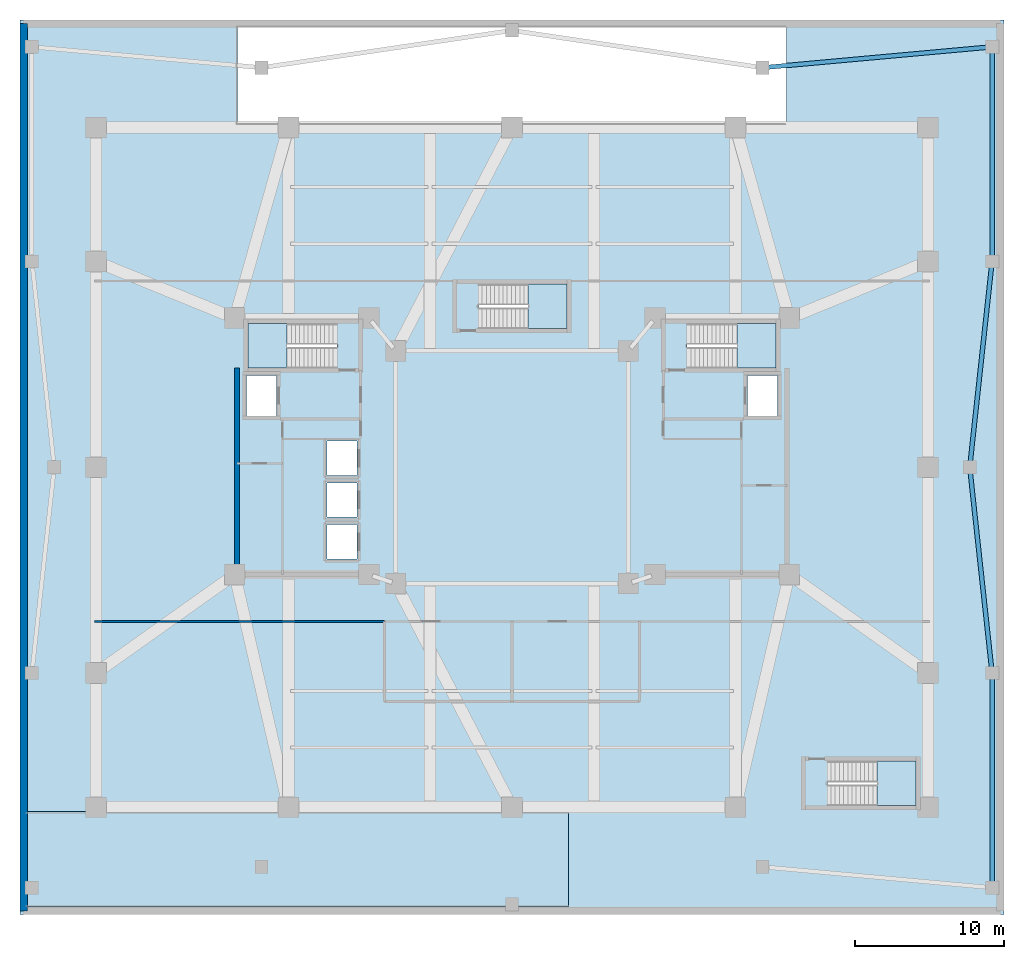
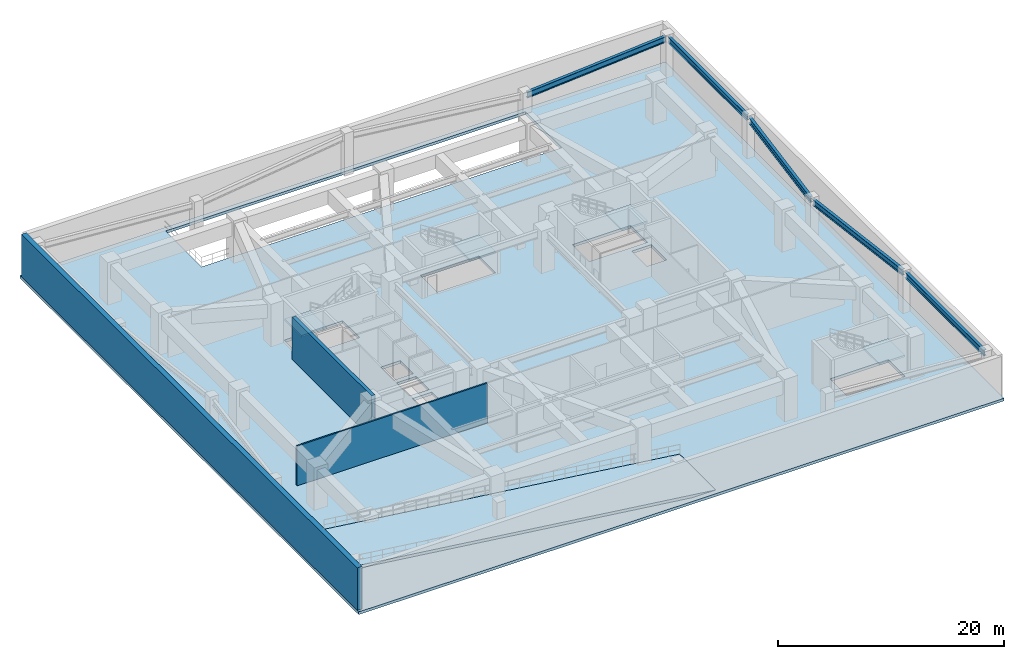
# One storey, part 2 of 8: 6 slabs, 5 beams, 3 walls, 4 elements without a shape of their own.
"""IFC4 building model written with IfcOpenShell, lengths in metres."""

from ifc_helpers import new_model, si_unit, direction, frame, frame_2d, origin, origin_2d, place, context, subcontext, project, spatial, polyline, rectangle, i_section, outline, extrude, material, layer, layer_set, material_profile, profile_set, type_object, element, aggregate, save


model = new_model("IFC4")

# Units and contexts
model_context = context("Model", 3, precision=1e-05, world=origin(), true_north=direction((0.0, 1.0)))
body_context = subcontext(model_context, "Body", "Model", "MODEL_VIEW")
ifc_project = project(units=[si_unit("LENGTHUNIT", "METRE"), si_unit("AREAUNIT", "SQUARE_METRE"), si_unit("VOLUMEUNIT", "CUBIC_METRE"), si_unit("PLANEANGLEUNIT", "RADIAN"), si_unit("MASSUNIT", "GRAM", prefix="KILO")], contexts=[model_context])

# Site, building, storey
site_placement = place(None, origin())
site = spatial("IfcSite", under=ifc_project, at=site_placement, CompositionType="ELEMENT")
building_placement = place(site_placement, origin())
building = spatial("IfcBuilding", under=site, at=building_placement, Name="Tarnavaz Court Tower", CompositionType="ELEMENT")
storey_placement = place(building_placement, frame((0.0, 0.0, -4.60009765625)))
storey = spatial("IfcBuildingStorey", under=building, at=storey_placement, Name="B01", CompositionType="ELEMENT", Elevation=-4.60009765625)

# Beams
ifc_material_1 = material(Name="Steel S355", Category="steel")
ifc_material_profile = material_profile(ifc_material_1, i_section(OverallWidth=0.300048828125, OverallDepth=0.639892578125, WebThickness=0.013427734375, FlangeThickness=0.02587890625, FilletRadius=0.027099609375, at=origin_2d()), Name="HEA 650")
ifc_profile_set = profile_set([ifc_material_profile], Name="Steel S355")
beam_type = type_object("IfcBeamType", Name="BM-SP-HEA650", PredefinedType="SPANDREL", material=ifc_profile_set)
beam_1_placement = place(storey_placement, frame((32.199951171875, -28.0, 3.97998046875), z_axis=(0.0, 1.0, 0.0), x_axis=(-1.0, 0.0, 0.0)))
element("IfcBeam", 1, at=beam_1_placement, inside=storey, type_object=beam_type, Name="B01 Beam PR-POD-SE1-POD-E1", PredefinedType="SPANDREL", context=body_context, shape_type="SweptSolid", body=[
    extrude(i_section(OverallWidth=0.300048828125, OverallDepth=0.639892578125, WebThickness=0.013427734375, FlangeThickness=0.02587890625, FilletRadius=0.027099609375, at=origin_2d()), origin(), (0.0, 0.0, 1.0), 14.0),
])
for number, where, z_axis, x_axis, name in (
    (2, (32.178466796875, -13.601318359375, 3.97998046875), (-0.10805801352, 0.994144589944, 0.0), (-0.994144589944, -0.10805801352, 0.0), "B01 Beam PR-POD-E1-POD-E2"),
    (3, (30.7216796875, 0.19873046875, 3.97998046875), (0.10805801352, 0.994144589944, 0.0), (-0.994144589944, 0.10805801352, 0.0), "B01 Beam PR-POD-E2-POD-E3"),
):
    element("IfcBeam", number, at=place(storey_placement, frame(where, z_axis=z_axis, x_axis=x_axis)), inside=storey, type_object=beam_type, Name=name, PredefinedType="SPANDREL", context=body_context, shape_type="SweptSolid", body=[
        extrude(i_section(OverallWidth=0.300048828125, OverallDepth=0.639892578125, WebThickness=0.013427734375, FlangeThickness=0.02587890625, FilletRadius=0.027099609375, at=origin_2d()), origin(), (0.0, 0.0, 1.0), 13.4814453125),
    ])
beam_2_placement = place(storey_placement, frame((32.199951171875, 14.0, 3.97998046875), z_axis=(0.0, 1.0, 0.0), x_axis=(-1.0, 0.0, 0.0)))
element("IfcBeam", 4, at=beam_2_placement, inside=storey, type_object=beam_type, Name="B01 Beam PR-POD-E3-POD-NE1", PredefinedType="SPANDREL", context=body_context, shape_type="SweptSolid", body=[
    extrude(i_section(OverallWidth=0.300048828125, OverallDepth=0.639892578125, WebThickness=0.013427734375, FlangeThickness=0.02587890625, FilletRadius=0.027099609375, at=origin_2d()), origin(), (0.0, 0.0, 1.0), 14.0),
])
beam_3_placement = place(storey_placement, frame((16.999267578125, 26.818115234375, 3.97998046875), z_axis=(0.995893206468, 0.090535746043, 0.0), x_axis=(-0.090535746043, 0.995893206468, 0.0)))
element("IfcBeam", 5, at=beam_3_placement, inside=storey, type_object=beam_type, Name="B01 Beam PR-POD-N3-POD-NE1", PredefinedType="SPANDREL", context=body_context, shape_type="SweptSolid", body=[
    extrude(i_section(OverallWidth=0.300048828125, OverallDepth=0.639892578125, WebThickness=0.013427734375, FlangeThickness=0.02587890625, FilletRadius=0.027099609375, at=origin_2d()), origin(), (0.0, 0.0, 1.0), 15.063232421875),
])

# Stair, slab
ifc_material_2 = material(Name="Concrete C40/50", Category="concrete")
stair_type = type_object("IfcStairType", Name="ST-TWR-26R", PredefinedType="HALF_TURN_STAIR", material=ifc_material_2)
stair_1_placement = place(storey_placement, origin())
stair_1 = element("IfcStair", 6, at=stair_1_placement, inside=storey, type_object=stair_type, Name="B01 West Core Pressurized Exit Stair ST-W1", PredefinedType="HALF_TURN_STAIR")
ifc_layer_1 = layer(ifc_material_2, 0.199951171875)
ifc_layer_set_1 = layer_set([ifc_layer_1], Name="Concrete C40/50")
slab_type_1 = type_object("IfcSlabType", Name="SL-LAND-200", PredefinedType="LANDING", material=ifc_layer_set_1)
slab_1_placement = place(storey_placement, frame((0.0, 0.0, 2.10009765625)))
slab_1 = element("IfcSlab", 7, at=slab_1_placement, type_object=slab_type_1, Name="ST-W1 landing 1", PredefinedType="LANDING", context=body_context, shape_type="SweptSolid", body=[
    extrude(outline(polyline([(-15.080078125, 9.639892578125), (-17.699951171875, 9.639892578125), (-17.699951171875, 6.64990234375), (-15.080078125, 6.64990234375), (-15.080078125, 9.639892578125)])), origin(), (0.0, 0.0, 1.0), 0.199951171875),
])
aggregate(stair_1, [slab_1])

stair_2_placement = place(storey_placement, origin())
stair_2 = element("IfcStair", 8, at=stair_2_placement, inside=storey, type_object=stair_type, Name="B01 East Core Pressurized Exit Stair ST-E1", PredefinedType="HALF_TURN_STAIR")
slab_2_placement = place(storey_placement, frame((0.0, 0.0, 2.10009765625)))
slab_2 = element("IfcSlab", 9, at=slab_2_placement, type_object=slab_type_1, Name="ST-E1 landing 1", PredefinedType="LANDING", context=body_context, shape_type="SweptSolid", body=[
    extrude(outline(polyline([(15.080078125, 6.64990234375), (17.699951171875, 6.64990234375), (17.699951171875, 9.639892578125), (15.080078125, 9.639892578125), (15.080078125, 6.64990234375)])), origin(), (0.0, 0.0, 1.0), 0.199951171875),
])
aggregate(stair_2, [slab_2])

stair_3_placement = place(storey_placement, origin())
stair_3 = element("IfcStair", 10, at=stair_3_placement, inside=storey, type_object=stair_type, Name="B01 North Ring Pressurized Exit Stair ST-N1", PredefinedType="HALF_TURN_STAIR")
slab_3_placement = place(storey_placement, frame((0.0, 0.0, 2.10009765625)))
slab_3 = element("IfcSlab", 11, at=slab_3_placement, type_object=slab_type_1, Name="ST-N1 landing 1", PredefinedType="LANDING", context=body_context, shape_type="SweptSolid", body=[
    extrude(outline(polyline([(1.080078125, 9.300048828125), (3.699951171875, 9.300048828125), (3.699951171875, 12.2900390625), (1.080078125, 12.2900390625), (1.080078125, 9.300048828125)])), origin(), (0.0, 0.0, 1.0), 0.199951171875),
])
aggregate(stair_3, [slab_3])

stair_4_placement = place(storey_placement, origin())
stair_4 = element("IfcStair", 12, at=stair_4_placement, inside=storey, type_object=stair_type, Name="B01 Podium Clinic Exit Stair ST-P1", PredefinedType="HALF_TURN_STAIR")
slab_4_placement = place(storey_placement, frame((0.0, 0.0, 2.10009765625)))
slab_4 = element("IfcSlab", 13, at=slab_4_placement, type_object=slab_type_1, Name="ST-P1 landing 1", PredefinedType="LANDING", context=body_context, shape_type="SweptSolid", body=[
    extrude(outline(polyline([(24.47998046875, -22.699951171875), (27.10009765625, -22.699951171875), (27.10009765625, -19.7099609375), (24.47998046875, -19.7099609375), (24.47998046875, -22.699951171875)])), origin(), (0.0, 0.0, 1.0), 0.199951171875),
])
aggregate(stair_4, [slab_4])

# Slabs
ifc_layer_2 = layer(ifc_material_2, 0.300048828125)
ifc_layer_set_2 = layer_set([ifc_layer_2], Name="Concrete C40/50")
slab_type_2 = type_object("IfcSlabType", Name="SL-POD-300", PredefinedType="FLOOR", material=ifc_layer_set_2)
slab_5_placement = place(storey_placement, frame((0.0, 0.0, -0.2998046875)))
element("IfcSlab", 14, at=slab_5_placement, inside=storey, type_object=slab_type_2, Name="B01 Structural Floor Slab", PredefinedType="FLOOR", context=body_context, shape_type="SweptSolid", body=[
    extrude(outline(polyline([(-33.0, -30.0), (33.0, -30.0), (33.0, 30.0), (-33.0, 30.0), (-33.0, -30.0)]), holes=[polyline([(-11.7451171875, 9.639892578125), (-17.699951171875, 9.639892578125), (-17.699951171875, 6.64990234375), (-11.7451171875, 6.64990234375), (-11.7451171875, 9.639892578125)]), polyline([(11.7451171875, 6.64990234375), (17.699951171875, 6.64990234375), (17.699951171875, 9.639892578125), (11.7451171875, 9.639892578125), (11.7451171875, 6.64990234375)]), polyline([(-2.2548828125, 9.300048828125), (3.699951171875, 9.300048828125), (3.699951171875, 12.2900390625), (-2.2548828125, 12.2900390625), (-2.2548828125, 9.300048828125)]), polyline([(21.14501953125, -22.699951171875), (27.10009765625, -22.699951171875), (27.10009765625, -19.7099609375), (21.14501953125, -19.7099609375), (21.14501953125, -22.699951171875)]), polyline([(-17.800048828125, 3.449951171875), (-15.800048828125, 3.449951171875), (-15.800048828125, 6.14990234375), (-17.800048828125, 6.14990234375), (-17.800048828125, 3.449951171875)]), polyline([(-12.39990234375, -6.14990234375), (-10.39990234375, -6.14990234375), (-10.39990234375, -3.85009765625), (-12.39990234375, -3.85009765625), (-12.39990234375, -6.14990234375)]), polyline([(-12.39990234375, -3.35009765625), (-10.39990234375, -3.35009765625), (-10.39990234375, -1.050048828125), (-12.39990234375, -1.050048828125), (-12.39990234375, -3.35009765625)]), polyline([(-12.39990234375, -0.550048828125), (-10.39990234375, -0.550048828125), (-10.39990234375, 1.75), (-12.39990234375, 1.75), (-12.39990234375, -0.550048828125)]), polyline([(15.800048828125, 3.449951171875), (17.800048828125, 3.449951171875), (17.800048828125, 6.14990234375), (15.800048828125, 6.14990234375), (15.800048828125, 3.449951171875)]), polyline([(-18.39990234375, 23.10009765625), (18.39990234375, 23.10009765625), (18.39990234375, 29.5), (-18.39990234375, 29.5), (-18.39990234375, 23.10009765625)])]), origin(), (0.0, 0.0, 1.0), 0.2998046875),
])
ifc_layer_3 = layer(ifc_material_2, 0.300048828125)
ifc_layer_set_3 = layer_set([ifc_layer_3], Name="Concrete C40/50")
slab_type_3 = type_object("IfcSlabType", Name="SL-VRAMP-300", PredefinedType="FLOOR", material=ifc_layer_set_3)
slab_6_placement = place(storey_placement, frame((3.800048828125, -26.300048828125, 0.0), z_axis=(0.0, 0.0, 1.0), x_axis=(-1.0, 0.0, 0.0)))
element("IfcSlab", 15, at=slab_6_placement, inside=storey, type_object=slab_type_3, Name="B01 Car Park Vehicle Ramp R2 Structural Slab (B01 to L00)", PredefinedType="FLOOR", context=body_context, shape_type="SweptSolid", body=[
    extrude(outline(polyline([(0.0, 0.0), (36.39990234375, 4.60009765625), (36.39990234375, 4.300048828125), (2.374267578125, 0.0), (0.0, 0.0)])), frame((0.0, 3.199951171875, 0.0), z_axis=(0.0, -1.0, 0.0), x_axis=(1.0, 0.0, 0.0)), (0.0, 0.0, 1.0), 6.39990234375),
])

# Walls
ifc_material_3 = material(Name="Concrete C60/75", Category="concrete")
ifc_layer_4 = layer(ifc_material_3, 0.35009765625)
ifc_layer_set_4 = layer_set([ifc_layer_4], Name="Concrete C60/75")
wall_type_1 = type_object("IfcWallType", Name="WL-CORE-350-C60", PredefinedType="SHEAR", material=ifc_layer_set_4)
wall_1_placement = place(storey_placement, frame((-18.449951171875, -7.375, 0.0), z_axis=(0.0, 0.0, 1.0), x_axis=(0.0, 1.0, 0.0)))
element("IfcWall", 16, at=wall_1_placement, inside=storey, type_object=wall_type_1, Name="B01 West Core Shear Wall 041", PredefinedType="SHEAR", context=body_context, shape_type="SweptSolid", body=[
    extrude(rectangle(XDim=14.050048828125, YDim=0.35009765625, at=frame_2d((7.02490234375, 0.0))), origin(), (0.0, 0.0, 1.0), 4.60009765625),
])
ifc_material_4 = material(Name="Gypsum Fire-Board on Acoustic Metal Stud", Category="masonry")
ifc_layer_5 = layer(ifc_material_4, 0.14990234375)
ifc_layer_set_5 = layer_set([ifc_layer_5], Name="Gypsum Fire-Board on Acoustic Metal Stud")
wall_type_2 = type_object("IfcWallType", Name="WL-FIRE-150", PredefinedType="PARTITIONING", material=ifc_layer_set_5)
wall_2_placement = place(storey_placement, frame((-28.0, -10.35009765625, 0.0), z_axis=(0.0, 0.0, 1.0), x_axis=(1.0, 0.0, 0.0)))
element("IfcWall", 17, at=wall_2_placement, inside=storey, type_object=wall_type_2, Name="B01 SW Corridor Wall 055", PredefinedType="PARTITIONING", context=body_context, shape_type="SweptSolid", body=[
    extrude(rectangle(XDim=19.449951171875, YDim=0.14990234375, at=frame_2d((9.72509765625, 0.0))), origin(), (0.0, 0.0, 1.0), 4.300048828125),
])
ifc_material_5 = material(Name="Concrete C50/60", Category="concrete")
ifc_layer_6 = layer(ifc_material_5, 0.5)
ifc_layer_set_6 = layer_set([ifc_layer_6], Name="Concrete C50/60")
wall_type_3 = type_object("IfcWallType", Name="WL-RET-500", PredefinedType="USERDEFINED", material=ifc_layer_set_6)
wall_3_placement = place(storey_placement, frame((-32.75, -29.75, 0.0), z_axis=(0.0, 0.0, 1.0), x_axis=(0.0, 1.0, 0.0)))
element("IfcWall", 18, at=wall_3_placement, inside=storey, type_object=wall_type_3, Name="B01 Perimeter Retaining Wall 4", ObjectType="RETAINING WALL", PredefinedType="USERDEFINED", context=body_context, shape_type="SweptSolid", body=[
    extrude(rectangle(XDim=59.5, YDim=0.5, at=frame_2d((29.75, 0.0))), origin(), (0.0, 0.0, 1.0), 4.60009765625),
])

save(model, "model.ifc")
